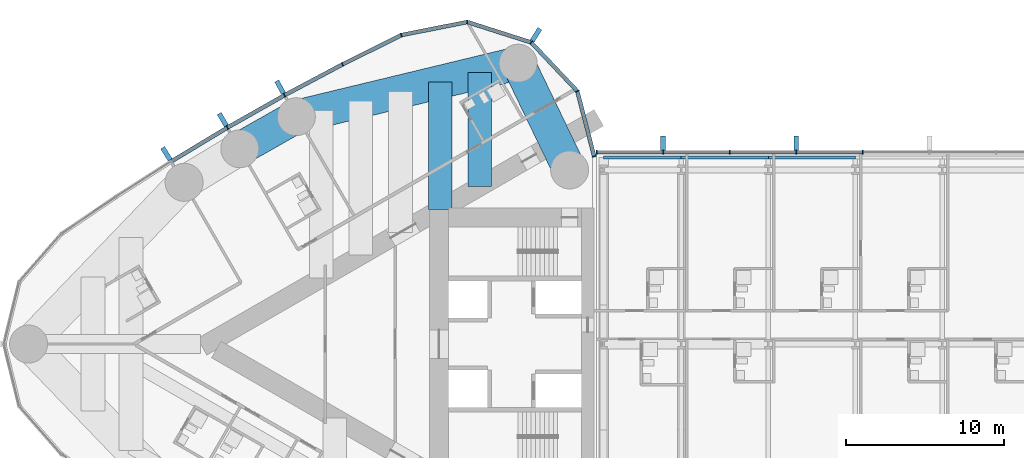
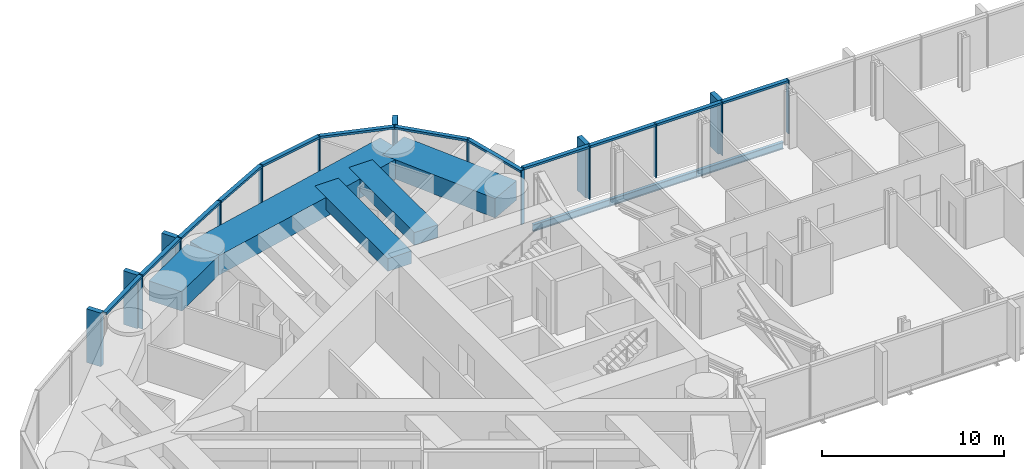
# One storey, part 5 of 22: 31 members, 8 beams, 2 elements without a shape of their own.
"""IFC4 building model written with IfcOpenShell, lengths in metres."""

import ifcopenshell
import ifcopenshell.guid

model = None  # the IFC model being written
_history = None  # IfcOwnerHistory: only IFC2X3 demands one
_inside = {}  # id of a spatial element -> (the spatial element, [elements in it])
_under = {}  # id of a project, library or spatial element -> (it, [spatial elements below it])
_declared = {}  # id of a project -> (the project, [libraries it declares])
_typed = {}  # id of a type object -> (the type object, [elements of that type])
_made_of = {}  # id of a material, layer set ... -> (it, [elements and type objects made of it])


def new_model(schema):
    """Start an empty IFC model of exactly this schema.

    Asked for "IFC4X3", IfcOpenShell would pick the latest addendum, in which some entities
    have other attributes; the version numbers below select the first issue.
    IFC2X3 requires an IfcOwnerHistory on every rooted entity: one is made here for all.
    """
    global model, _history
    if schema == "IFC4X3":
        model = ifcopenshell.file(schema_version=(4, 3, 0, 0))
    else:
        model = ifcopenshell.file(schema=schema)
    _inside.clear()
    _under.clear()
    _declared.clear()
    _typed.clear()
    _made_of.clear()
    _history = None
    if model.schema == "IFC2X3":
        org = make("IfcOrganization", Name="unknown")
        user = make(
            "IfcPersonAndOrganization",
            ThePerson=make("IfcPerson", FamilyName="unknown"),
            TheOrganization=org,
        )
        app = make(
            "IfcApplication",
            ApplicationDeveloper=org,
            Version="unknown",
            ApplicationFullName="unknown",
            ApplicationIdentifier="unknown",
        )
        _history = make(
            "IfcOwnerHistory",
            OwningUser=user,
            OwningApplication=app,
            ChangeAction="ADDED",
            CreationDate=0,
        )
    return model


def make(cls, **values):
    """One entity of the class cls with the attributes given. An attribute that is None is left unset."""
    return model.create_entity(
        cls, **{name: value for name, value in values.items() if value is not None}
    )


def rooted(cls, **values):
    """An entity with a GlobalId (a new one), such as an element, a storey or a relation."""
    return make(cls, GlobalId=ifcopenshell.guid.new(), OwnerHistory=_history, **values)


def si_unit(unit_type, name, prefix=None):
    """IfcSIUnit, for example si_unit("LENGTHUNIT", "METRE", prefix="MILLI")."""
    return make("IfcSIUnit", UnitType=unit_type, Prefix=prefix, Name=name)


def assignment(units):
    """IfcUnitAssignment: the units of a project."""
    return None if units is None else make("IfcUnitAssignment", Units=units)


def point(xyz):
    """IfcCartesianPoint."""
    return None if xyz is None else make("IfcCartesianPoint", Coordinates=xyz)


def direction(xyz):
    """IfcDirection."""
    return None if xyz is None else make("IfcDirection", DirectionRatios=xyz)


def frame(location, z_axis=None, x_axis=None):
    """IfcAxis2Placement3D, a coordinate frame: its origin and axes. An axis left out is left unset."""
    return make(
        "IfcAxis2Placement3D",
        Location=point(location),
        Axis=direction(z_axis),
        RefDirection=direction(x_axis),
    )


def frame_2d(location, x_axis=None):
    """IfcAxis2Placement2D, a coordinate frame in the plane: its origin and x axis."""
    return make(
        "IfcAxis2Placement2D", Location=point(location), RefDirection=direction(x_axis)
    )


def origin():
    """The frame at (0, 0, 0) with its axes left unset."""
    return frame((0.0, 0.0, 0.0))


def origin_2d():
    """The frame at (0, 0) in the plane with its x axis left unset."""
    return frame_2d((0.0, 0.0))


def place(relative_to, where):
    """IfcLocalPlacement: puts the frame where relative to a parent placement (None: the world)."""
    return make(
        "IfcLocalPlacement", PlacementRelTo=relative_to, RelativePlacement=where
    )


def context(
    kind, dimensions, precision=None, world=None, true_north=None, identifier=None
):
    """IfcGeometricRepresentationContext, for example the 3D "Model" context."""
    return make(
        "IfcGeometricRepresentationContext",
        ContextIdentifier=identifier,
        ContextType=kind,
        CoordinateSpaceDimension=dimensions,
        Precision=precision,
        WorldCoordinateSystem=world,
        TrueNorth=true_north,
    )


def subcontext(parent, identifier, kind, view, scale=None):
    """IfcGeometricRepresentationSubContext, for example "Body" below "Model"."""
    return make(
        "IfcGeometricRepresentationSubContext",
        ContextIdentifier=identifier,
        ContextType=kind,
        ParentContext=parent,
        TargetScale=scale,
        TargetView=view,
    )


def project(units=None, contexts=None):
    """IfcProject with its units and contexts."""
    return rooted(
        "IfcProject",
        Name="project",
        RepresentationContexts=contexts,
        UnitsInContext=assignment(units),
    )


def spatial(cls, under=None, at=None, **own):
    """A site, building, storey or space (cls), placed at a placement, below another one or the project."""
    s = rooted(cls, ObjectPlacement=at, **own)
    if under is not None:
        _under.setdefault(under.id(), (under, []))[1].append(s)
    return s


def profile(cls, at=None, kind="AREA", **sizes):
    """A parametric profile (cls). Its sizes go by their IFC names, for example OverallWidth=200.0."""
    return make(cls, ProfileType=kind, Position=at, **sizes)


def rectangle(**sizes):
    """IfcRectangleProfileDef."""
    return profile("IfcRectangleProfileDef", **sizes)


def i_section(**sizes):
    """IfcIShapeProfileDef."""
    return profile("IfcIShapeProfileDef", **sizes)


def extrude(swept, where, along, depth):
    """IfcExtrudedAreaSolid: the profile swept, set in the frame where, extruded along a direction by depth."""
    return make(
        "IfcExtrudedAreaSolid",
        SweptArea=swept,
        Position=where,
        ExtrudedDirection=direction(along),
        Depth=depth,
    )


def shape(context_of_items, identifier, shape_type, items):
    """IfcShapeRepresentation: the items that make up one representation, for example the "Body"."""
    return make(
        "IfcShapeRepresentation",
        ContextOfItems=context_of_items,
        RepresentationIdentifier=identifier,
        RepresentationType=shape_type,
        Items=items,
    )


def material(Name=None, Category=None):
    """IfcMaterial."""
    return make("IfcMaterial", Name=Name, Category=Category)


def material_profile(
    of_material, cross_section, Name=None, Category=None, Priority=None
):
    """IfcMaterialProfile: a cross section and its material."""
    return make(
        "IfcMaterialProfile",
        Name=Name,
        Material=of_material,
        Profile=cross_section,
        Priority=Priority,
        Category=Category,
    )


def profile_set(profiles, Name=None, composite=None):
    """IfcMaterialProfileSet."""
    return make(
        "IfcMaterialProfileSet",
        Name=Name,
        MaterialProfiles=profiles,
        CompositeProfile=composite,
    )


def made_of(thing, what):
    """Note that an element or type object is made of a material, layer set ...; save() writes the relation."""
    if what is not None:
        _made_of.setdefault(what.id(), (what, []))[1].append(thing)
    return thing


def type_object(cls, material=None, **own):
    """A type object (cls), such as IfcWallType, which elements share."""
    return made_of(rooted(cls, **own), material)


def element(
    cls,
    number,
    at=None,
    inside=None,
    cuts=None,
    type_object=None,
    material=None,
    context=None,
    identifier="Body",
    shape_type=None,
    held_by="IfcProductDefinitionShape",
    body=None,
    shapes=None,
    **own,
):
    """One element of the class cls, such as IfcWall. Its Tag is "e" and its number.

    at: its placement. inside: the storey or other place that contains it. cuts: it is an
    opening in that element (IfcRelVoidsElement). A single representation is given by context,
    identifier, shape_type and body (its items); several are given by shapes. held_by: the class
    of the entity that holds the representations. save() writes the other relations.
    """
    e = rooted(cls, Tag="e%d" % number, ObjectPlacement=at, **own)
    if body is not None:
        shapes = [shape(context, identifier, shape_type, body)]
    if shapes is not None:
        e.Representation = make(held_by, Representations=shapes)
    if inside is not None:
        _inside.setdefault(inside.id(), (inside, []))[1].append(e)
    if cuts is not None:
        rooted(
            "IfcRelVoidsElement", RelatingBuildingElement=cuts, RelatedOpeningElement=e
        )
    if type_object is not None:
        _typed.setdefault(type_object.id(), (type_object, []))[1].append(e)
    return made_of(e, material)


def aggregate(whole, parts):
    """IfcRelAggregates: a whole, such as a stair, and the parts it consists of."""
    return rooted("IfcRelAggregates", RelatingObject=whole, RelatedObjects=parts)


def save(model, path):
    """Write the relations noted so far, then the file.

    IfcRelAggregates (storeys below a building ...), IfcRelContainedInSpatialStructure (elements
    in a storey), IfcRelDefinesByType, IfcRelAssociatesMaterial and IfcRelDeclares: one each for
    every whole, place, type object, material and project.
    """
    for whole, parts in _under.values():
        aggregate(whole, parts)
    for where, things in _inside.values():
        rooted(
            "IfcRelContainedInSpatialStructure",
            RelatedElements=things,
            RelatingStructure=where,
        )
    for kind, things in _typed.values():
        rooted("IfcRelDefinesByType", RelatedObjects=things, RelatingType=kind)
    for what, things in _made_of.values():
        rooted("IfcRelAssociatesMaterial", RelatedObjects=things, RelatingMaterial=what)
    for by, libraries in _declared.values():
        rooted("IfcRelDeclares", RelatingContext=by, RelatedDefinitions=libraries)
    model.write(path)


model = new_model("IFC4")

# Units and contexts
model_context = context("Model", 3, precision=1e-05, world=origin(), true_north=direction((0.0, 1.0)))
body_context = subcontext(model_context, "Body", "Model", "MODEL_VIEW")
ifc_project = project(units=[si_unit("LENGTHUNIT", "METRE"), si_unit("AREAUNIT", "SQUARE_METRE"), si_unit("VOLUMEUNIT", "CUBIC_METRE"), si_unit("PLANEANGLEUNIT", "RADIAN"), si_unit("MASSUNIT", "GRAM", prefix="KILO")], contexts=[model_context])

# Site, building, storey
site_placement = place(None, origin())
site = spatial("IfcSite", under=ifc_project, at=site_placement, CompositionType="ELEMENT")
building_placement = place(site_placement, origin())
building = spatial("IfcBuilding", under=site, at=building_placement, Name="Lancet Gate Hotel", CompositionType="ELEMENT")
storey_placement = place(building_placement, frame((0.0, 0.0, 233.300048828125)))
storey = spatial("IfcBuildingStorey", under=building, at=storey_placement, Name="L62", CompositionType="ELEMENT", Elevation=233.300048828125)

# Curtain wall, members
ifc_material_1 = material(Name="Aluminium curtain wall", Category="aluminium")
curtain_wall_type_1 = type_object("IfcCurtainWallType", Name="Tower unitised curtain wall", PredefinedType="USERDEFINED", material=ifc_material_1)
curtain_wall_1_placement = place(storey_placement, origin())
curtain_wall_1 = element("IfcCurtainWall", 1, at=curtain_wall_1_placement, inside=storey, type_object=curtain_wall_type_1, Name="T1 L62 curtain wall 1", ObjectType="UNITISED CURTAIN WALL", PredefinedType="USERDEFINED")
ifc_material_2 = material(Name="Aluminium mullion", Category="aluminium")
ifc_material_profile_1 = material_profile(ifc_material_2, rectangle(XDim=0.06494140625, YDim=0.25, at=origin_2d()), Name="MULLION 65x250")
ifc_profile_set_1 = profile_set([ifc_material_profile_1], Name="Aluminium mullion")
member_type_1 = type_object("IfcMemberType", Name="Aluminium mullion 65x250", PredefinedType="MULLION", material=ifc_profile_set_1)
member_1_placement = place(storey_placement, frame((-27.5, 11.861572265625, 0.0), z_axis=(0.0, 0.0, 1.0), x_axis=(-0.249725827997, 0.968316586056, 0.0)))
member_1 = element("IfcMember", 2, at=member_1_placement, type_object=member_type_1, Name="T1 L62 curtain wall 1 mullion 1", PredefinedType="MULLION", context=body_context, shape_type="SweptSolid", body=[
    extrude(rectangle(XDim=0.06494140625, YDim=0.25, at=origin_2d()), origin(), (0.0, 0.0, 1.0), 3.599853515625),
])
member_2_placement = place(storey_placement, frame((-28.56005859375, 15.97216796875, 0.0), z_axis=(0.0, 0.0, 1.0), x_axis=(-0.483627322447, 0.875274021654, 0.0)))
member_2 = element("IfcMember", 3, at=member_2_placement, type_object=member_type_1, Name="T1 L62 curtain wall 1 mullion 2", PredefinedType="MULLION", context=body_context, shape_type="SweptSolid", body=[
    extrude(rectangle(XDim=0.06494140625, YDim=0.25, at=origin_2d()), origin(), (0.0, 0.0, 1.0), 3.599853515625),
])
member_3_placement = place(storey_placement, frame((-31.476318359375, 19.0576171875, 0.0), z_axis=(0.0, 0.0, 1.0), x_axis=(-0.846612863, 0.532209225966, 0.0)))
member_3 = element("IfcMember", 4, at=member_3_placement, type_object=member_type_1, Name="T1 L62 curtain wall 1 mullion 3", PredefinedType="MULLION", context=body_context, shape_type="SweptSolid", body=[
    extrude(rectangle(XDim=0.06494140625, YDim=0.25, at=origin_2d()), origin(), (0.0, 0.0, 1.0), 3.599853515625),
])
member_4_placement = place(storey_placement, frame((-35.520751953125, 20.347900390625, 0.0), z_axis=(0.0, 0.0, 1.0), x_axis=(-0.998409168318, 0.056383797491, 0.0)))
member_4 = element("IfcMember", 5, at=member_4_placement, type_object=member_type_1, Name="T1 L62 curtain wall 1 mullion 4", PredefinedType="MULLION", context=body_context, shape_type="SweptSolid", body=[
    extrude(rectangle(XDim=0.06494140625, YDim=0.25, at=origin_2d()), origin(), (0.0, 0.0, 1.0), 3.599853515625),
])
member_5_placement = place(storey_placement, frame((-39.684814453125, 19.521240234375, 0.0), z_axis=(0.0, 0.0, 1.0), x_axis=(-0.946887706423, -0.321564412561, 0.0)))
member_5 = element("IfcMember", 6, at=member_5_placement, type_object=member_type_1, Name="T1 L62 curtain wall 1 mullion 5", PredefinedType="MULLION", context=body_context, shape_type="SweptSolid", body=[
    extrude(rectangle(XDim=0.06494140625, YDim=0.25, at=origin_2d()), origin(), (0.0, 0.0, 1.0), 3.599853515625),
])
member_6_placement = place(storey_placement, frame((-43.3994140625, 17.67236328125, 0.0), z_axis=(0.0, 0.0, 1.0), x_axis=(-0.889155526065, -0.457605125046, 0.0)))
member_6 = element("IfcMember", 7, at=member_6_placement, type_object=member_type_1, Name="T1 L62 curtain wall 1 mullion 6", PredefinedType="MULLION", context=body_context, shape_type="SweptSolid", body=[
    extrude(rectangle(XDim=0.06494140625, YDim=0.25, at=origin_2d()), origin(), (0.0, 0.0, 1.0), 3.599853515625),
])
member_7_placement = place(storey_placement, frame((-47.062744140625, 15.72412109375, 0.0), z_axis=(0.0, 0.0, 1.0), x_axis=(-0.876516407283, -0.481371984815, 0.0)))
member_7 = element("IfcMember", 8, at=member_7_placement, type_object=member_type_1, Name="T1 L62 curtain wall 1 mullion 7", PredefinedType="MULLION", context=body_context, shape_type="SweptSolid", body=[
    extrude(rectangle(XDim=0.06494140625, YDim=0.25, at=origin_2d()), origin(), (0.0, 0.0, 1.0), 3.599853515625),
])
member_8_placement = place(storey_placement, frame((-50.67236328125, 13.677978515625, 0.0), z_axis=(0.0, 0.0, 1.0), x_axis=(-0.863242155108, -0.504790037189, 0.0)))
member_8 = element("IfcMember", 9, at=member_8_placement, type_object=member_type_1, Name="T1 L62 curtain wall 1 mullion 8", PredefinedType="MULLION", context=body_context, shape_type="SweptSolid", body=[
    extrude(rectangle(XDim=0.06494140625, YDim=0.25, at=origin_2d()), origin(), (0.0, 0.0, 1.0), 3.599853515625),
])

ifc_material_3 = material(Name="Aluminium curtain wall", Category="aluminium")
curtain_wall_type_2 = type_object("IfcCurtainWallType", Name="Bridge block curtain wall", PredefinedType="USERDEFINED", material=ifc_material_3)
curtain_wall_2_placement = place(storey_placement, origin())
curtain_wall_2 = element("IfcCurtainWall", 10, at=curtain_wall_2_placement, inside=storey, type_object=curtain_wall_type_2, Name="Bridge block L62 curtain wall N", ObjectType="UNITISED CURTAIN WALL", PredefinedType="USERDEFINED")
member_9_placement = place(storey_placement, frame((-10.519287109375, 12.1201171875, 0.0), z_axis=(0.0, 0.0, 1.0), x_axis=(-1.0, 0.0, 0.0)))
member_9 = element("IfcMember", 11, at=member_9_placement, type_object=member_type_1, Name="Bridge block L62 curtain wall N mullion 10", PredefinedType="MULLION", context=body_context, shape_type="SweptSolid", body=[
    extrude(rectangle(XDim=0.06494140625, YDim=0.25, at=origin_2d()), origin(), (0.0, 0.0, 1.0), 3.599853515625),
])
member_10_placement = place(storey_placement, frame((-14.726806640625, 12.1201171875, 0.0), z_axis=(0.0, 0.0, 1.0), x_axis=(-1.0, 0.0, 0.0)))
member_10 = element("IfcMember", 12, at=member_10_placement, type_object=member_type_1, Name="Bridge block L62 curtain wall N mullion 11", PredefinedType="MULLION", context=body_context, shape_type="SweptSolid", body=[
    extrude(rectangle(XDim=0.06494140625, YDim=0.25, at=origin_2d()), origin(), (0.0, 0.0, 1.0), 3.599853515625),
])
member_11_placement = place(storey_placement, frame((-18.9345703125, 12.1201171875, 0.0), z_axis=(0.0, 0.0, 1.0), x_axis=(-1.0, 0.0, 0.0)))
member_11 = element("IfcMember", 13, at=member_11_placement, type_object=member_type_1, Name="Bridge block L62 curtain wall N mullion 12", PredefinedType="MULLION", context=body_context, shape_type="SweptSolid", body=[
    extrude(rectangle(XDim=0.06494140625, YDim=0.25, at=origin_2d()), origin(), (0.0, 0.0, 1.0), 3.599853515625),
])
member_12_placement = place(storey_placement, frame((-23.142333984375, 12.1201171875, 0.0), z_axis=(0.0, 0.0, 1.0), x_axis=(-1.0, 0.0, 0.0)))
member_12 = element("IfcMember", 14, at=member_12_placement, type_object=member_type_1, Name="Bridge block L62 curtain wall N mullion 13", PredefinedType="MULLION", context=body_context, shape_type="SweptSolid", body=[
    extrude(rectangle(XDim=0.06494140625, YDim=0.25, at=origin_2d()), origin(), (0.0, 0.0, 1.0), 3.599853515625),
])
member_13_placement = place(storey_placement, frame((-27.35009765625, 12.1201171875, 0.0), z_axis=(0.0, 0.0, 1.0), x_axis=(-1.0, 0.0, 0.0)))
member_13 = element("IfcMember", 15, at=member_13_placement, type_object=member_type_1, Name="Bridge block L62 curtain wall N mullion 14", PredefinedType="MULLION", context=body_context, shape_type="SweptSolid", body=[
    extrude(rectangle(XDim=0.06494140625, YDim=0.25, at=origin_2d()), origin(), (0.0, 0.0, 1.0), 3.599853515625),
])

# Member
ifc_material_4 = material(Name="Aluminium transom", Category="aluminium")
ifc_material_profile_2 = material_profile(ifc_material_4, rectangle(XDim=0.25, YDim=0.14990234375, at=origin_2d()), Name="TRANSOM 250x150")
ifc_profile_set_2 = profile_set([ifc_material_profile_2], Name="Aluminium transom")
member_type_2 = type_object("IfcMemberType", Name="Aluminium transom 250x150", PredefinedType="USERDEFINED", material=ifc_profile_set_2)
member_14_placement = place(storey_placement, frame((-27.508056640625, 11.892822265625, 3.52490234375), z_axis=(-0.249715522936, 0.968319243641, 0.0), x_axis=(-0.968319243641, -0.249715522936, 0.0)))
member_14 = element("IfcMember", 16, at=member_14_placement, type_object=member_type_2, Name="T1 L62 curtain wall 1 transom 1", ObjectType="TRANSOM", PredefinedType="USERDEFINED", context=body_context, shape_type="SweptSolid", body=[
    extrude(rectangle(XDim=0.25, YDim=0.14990234375, at=origin_2d()), origin(), (0.0, 0.0, 1.0), 4.180419921875),
])

member_15_placement = place(storey_placement, frame((-28.58251953125, 15.995849609375, 3.52490234375), z_axis=(-0.686880731091, 0.726770157103, 0.0), x_axis=(-0.726770157103, -0.686880731091, 0.0)))
member_15 = element("IfcMember", 17, at=member_15_placement, type_object=member_type_2, Name="T1 L62 curtain wall 1 transom 2", ObjectType="TRANSOM", PredefinedType="USERDEFINED", context=body_context, shape_type="SweptSolid", body=[
    extrude(rectangle(XDim=0.25, YDim=0.14990234375, at=origin_2d()), origin(), (0.0, 0.0, 1.0), 4.18017578125),
])

member_16_placement = place(storey_placement, frame((-31.507080078125, 19.067626953125, 3.52490234375), z_axis=(-0.952697713775, 0.303919506068, 0.0), x_axis=(-0.303919506068, -0.952697713775, 0.0)))
member_16 = element("IfcMember", 18, at=member_16_placement, type_object=member_type_2, Name="T1 L62 curtain wall 1 transom 3", ObjectType="TRANSOM", PredefinedType="USERDEFINED", context=body_context, shape_type="SweptSolid", body=[
    extrude(rectangle(XDim=0.25, YDim=0.14990234375, at=origin_2d()), origin(), (0.0, 0.0, 1.0), 4.180419921875),
])

member_17_placement = place(storey_placement, frame((-35.552734375, 20.341552734375, 3.52490234375), z_axis=(-0.980858234867, -0.194723196085, 0.0), x_axis=(0.194723196085, -0.980858234867, 0.0)))
member_17 = element("IfcMember", 19, at=member_17_placement, type_object=member_type_2, Name="T1 L62 curtain wall 1 transom 4", ObjectType="TRANSOM", PredefinedType="USERDEFINED", context=body_context, shape_type="SweptSolid", body=[
    extrude(rectangle(XDim=0.25, YDim=0.14990234375, at=origin_2d()), origin(), (0.0, 0.0, 1.0), 4.18017578125),
])

member_18_placement = place(storey_placement, frame((-39.7138671875, 19.5068359375, 3.52490234375), z_axis=(-0.895226720479, -0.445610950202, 0.0), x_axis=(0.445610950202, -0.895226720479, 0.0)))
member_18 = element("IfcMember", 20, at=member_18_placement, type_object=member_type_2, Name="T1 L62 curtain wall 1 transom 5", ObjectType="TRANSOM", PredefinedType="USERDEFINED", context=body_context, shape_type="SweptSolid", body=[
    extrude(rectangle(XDim=0.25, YDim=0.14990234375, at=origin_2d()), origin(), (0.0, 0.0, 1.0), 4.08447265625),
])

member_19_placement = place(storey_placement, frame((-43.427978515625, 17.656982421875, 3.52490234375), z_axis=(-0.882944619844, -0.469477154171, 0.0), x_axis=(0.469477154171, -0.882944619844, 0.0)))
member_19 = element("IfcMember", 21, at=member_19_placement, type_object=member_type_2, Name="T1 L62 curtain wall 1 transom 6", ObjectType="TRANSOM", PredefinedType="USERDEFINED", context=body_context, shape_type="SweptSolid", body=[
    extrude(rectangle(XDim=0.25, YDim=0.14990234375, at=origin_2d()), origin(), (0.0, 0.0, 1.0), 4.084228515625),
])

member_20_placement = place(storey_placement, frame((-47.091064453125, 15.7080078125, 3.52490234375), z_axis=(-0.869977740049, -0.493090997503, 0.0), x_axis=(0.493090997503, -0.869977740049, 0.0)))
member_20 = element("IfcMember", 22, at=member_20_placement, type_object=member_type_2, Name="T1 L62 curtain wall 1 transom 7", ObjectType="TRANSOM", PredefinedType="USERDEFINED", context=body_context, shape_type="SweptSolid", body=[
    extrude(rectangle(XDim=0.25, YDim=0.14990234375, at=origin_2d()), origin(), (0.0, 0.0, 1.0), 4.084228515625),
])

member_21_placement = place(storey_placement, frame((-50.7001953125, 13.661376953125, 3.52490234375), z_axis=(-0.856362214892, -0.516375596737, 0.0), x_axis=(0.516375596737, -0.856362214892, 0.0)))
member_21 = element("IfcMember", 23, at=member_21_placement, type_object=member_type_2, Name="T1 L62 curtain wall 1 transom 8", ObjectType="TRANSOM", PredefinedType="USERDEFINED", context=body_context, shape_type="SweptSolid", body=[
    extrude(rectangle(XDim=0.25, YDim=0.14990234375, at=origin_2d()), origin(), (0.0, 0.0, 1.0), 4.08447265625),
])

member_22_placement = place(storey_placement, frame((-10.5517578125, 12.1201171875, 3.52490234375), z_axis=(-1.0, 0.0, 0.0), x_axis=(0.0, -1.0, 0.0)))
member_22 = element("IfcMember", 24, at=member_22_placement, type_object=member_type_2, Name="Bridge block L62 curtain wall N transom 10", ObjectType="TRANSOM", PredefinedType="USERDEFINED", context=body_context, shape_type="SweptSolid", body=[
    extrude(rectangle(XDim=0.25, YDim=0.14990234375, at=origin_2d()), origin(), (0.0, 0.0, 1.0), 4.142578125),
])

member_23_placement = place(storey_placement, frame((-14.759521484375, 12.1201171875, 3.52490234375), z_axis=(-1.0, 0.0, 0.0), x_axis=(0.0, -1.0, 0.0)))
member_23 = element("IfcMember", 25, at=member_23_placement, type_object=member_type_2, Name="Bridge block L62 curtain wall N transom 11", ObjectType="TRANSOM", PredefinedType="USERDEFINED", context=body_context, shape_type="SweptSolid", body=[
    extrude(rectangle(XDim=0.25, YDim=0.14990234375, at=origin_2d()), origin(), (0.0, 0.0, 1.0), 4.142578125),
])

member_24_placement = place(storey_placement, frame((-18.967041015625, 12.1201171875, 3.52490234375), z_axis=(-1.0, 0.0, 0.0), x_axis=(0.0, -1.0, 0.0)))
member_24 = element("IfcMember", 26, at=member_24_placement, type_object=member_type_2, Name="Bridge block L62 curtain wall N transom 12", ObjectType="TRANSOM", PredefinedType="USERDEFINED", context=body_context, shape_type="SweptSolid", body=[
    extrude(rectangle(XDim=0.25, YDim=0.14990234375, at=origin_2d()), origin(), (0.0, 0.0, 1.0), 4.142822265625),
])

member_25_placement = place(storey_placement, frame((-23.1748046875, 12.1201171875, 3.52490234375), z_axis=(-1.0, 0.0, 0.0), x_axis=(0.0, -1.0, 0.0)))
member_25 = element("IfcMember", 27, at=member_25_placement, type_object=member_type_2, Name="Bridge block L62 curtain wall N transom 13", ObjectType="TRANSOM", PredefinedType="USERDEFINED", context=body_context, shape_type="SweptSolid", body=[
    extrude(rectangle(XDim=0.25, YDim=0.14990234375, at=origin_2d()), origin(), (0.0, 0.0, 1.0), 4.142578125),
])

# Beams
ifc_material_5 = material(Name="Steel S355", Category="steel")
ifc_material_profile_3 = material_profile(ifc_material_5, i_section(OverallWidth=0.19140625, OverallDepth=0.4599609375, WebThickness=0.010009765625, FlangeThickness=0.01611328125, FilletRadius=0.01025390625, at=origin_2d()), Name="UKB 457x191x82")
ifc_profile_set_3 = profile_set([ifc_material_profile_3], Name="Steel S355")
beam_type_1 = type_object("IfcBeamType", Name="Block edge beam UKB 457x191x82", PredefinedType="SPANDREL", material=ifc_profile_set_3)
beam_1_placement = place(storey_placement, frame((-26.89990234375, 11.800048828125, -0.429931640625), z_axis=(1.0, 0.0, 0.0), x_axis=(0.0, 1.0, 0.0)))
element("IfcBeam", 28, at=beam_1_placement, inside=storey, type_object=beam_type_1, Name="Block edge beam N 0-1 L62", PredefinedType="SPANDREL", context=body_context, shape_type="SweptSolid", body=[
    extrude(i_section(OverallWidth=0.19140625, OverallDepth=0.4599609375, WebThickness=0.010009765625, FlangeThickness=0.01611328125, FilletRadius=0.01025390625, at=origin_2d()), origin(), (0.0, 0.0, 1.0), 4.89990234375),
])
for number, where, z_axis, x_axis, name in (
    (29, (-22.0, 11.800048828125, -0.429931640625), (1.0, 0.0, 0.0), (0.0, 1.0, 0.0), "Block edge beam N 1-2 L62"),
    (30, (-16.5, 11.800048828125, -0.429931640625), (1.0, 0.0, 0.0), (0.0, 1.0, 0.0), "Block edge beam N 2-3 L62"),
):
    element("IfcBeam", number, at=place(storey_placement, frame(where, z_axis=z_axis, x_axis=x_axis)), inside=storey, type_object=beam_type_1, Name=name, PredefinedType="SPANDREL", context=body_context, shape_type="SweptSolid", body=[
        extrude(i_section(OverallWidth=0.19140625, OverallDepth=0.4599609375, WebThickness=0.010009765625, FlangeThickness=0.01611328125, FilletRadius=0.01025390625, at=origin_2d()), origin(), (0.0, 0.0, 1.0), 5.5),
    ])
ifc_material_6 = material(Name="Concrete C50/60", Category="concrete")
ifc_material_profile_4 = material_profile(ifc_material_6, rectangle(XDim=2.10009765625, YDim=1.300048828125, at=origin_2d()), Name="RC 2100x1300")
ifc_profile_set_4 = profile_set([ifc_material_profile_4], Name="Concrete C50/60")
beam_type_2 = type_object("IfcBeamType", Name="Edge beam RC 2100x1300", PredefinedType="SPANDREL", material=ifc_profile_set_4)
beam_2_placement = place(storey_placement, frame((-32.301025390625, 17.745361328125, 2.699951171875), z_axis=(-0.972132796948, -0.234430853556, 0.0), x_axis=(0.234430853556, -0.972132796948, 0.0)))
element("IfcBeam", 31, at=beam_2_placement, inside=storey, type_object=beam_type_2, Name="T1 edge beam EB1 L62", PredefinedType="SPANDREL", context=body_context, shape_type="SweptSolid", body=[
    extrude(rectangle(XDim=2.10009765625, YDim=1.300048828125, at=origin_2d()), origin(), (0.0, 0.0, 1.0), 14.41748046875),
])
beam_3_placement = place(storey_placement, frame((-46.316650390625, 14.365478515625, 2.699951171875), z_axis=(-0.869978841992, -0.493089053301, 0.0), x_axis=(0.493089053301, -0.869978841992, 0.0)))
element("IfcBeam", 32, at=beam_3_placement, inside=storey, type_object=beam_type_2, Name="T1 edge beam EB1 L62", PredefinedType="SPANDREL", context=body_context, shape_type="SweptSolid", body=[
    extrude(rectangle(XDim=2.10009765625, YDim=1.300048828125, at=origin_2d()), origin(), (0.0, 0.0, 1.0), 4.107666015625),
])
beam_4_placement = place(storey_placement, frame((-32.301025390625, 17.745361328125, 2.699951171875), z_axis=(0.434163599361, -0.900834040759, 0.0), x_axis=(0.900834040759, 0.434163599361, 0.0)))
element("IfcBeam", 33, at=beam_4_placement, inside=storey, type_object=beam_type_2, Name="T1 edge beam EB1 L62", PredefinedType="SPANDREL", context=body_context, shape_type="SweptSolid", body=[
    extrude(rectangle(XDim=2.10009765625, YDim=1.300048828125, at=origin_2d()), origin(), (0.0, 0.0, 1.0), 7.48779296875),
])

# Member
ifc_material_7 = material(Name="Precast concrete C50/60", Category="concrete")
ifc_material_profile_5 = material_profile(ifc_material_7, rectangle(XDim=0.300048828125, YDim=0.89990234375, at=origin_2d()), Name="FIN 300x900")
ifc_profile_set_5 = profile_set([ifc_material_profile_5], Name="Precast concrete C50/60")
member_type_3 = type_object("IfcMemberType", Name="Exposed concrete fin 300x900", PredefinedType="USERDEFINED", material=ifc_profile_set_5)
member_26_placement = place(storey_placement, frame((-31.170166015625, 19.54443359375, 0.0), z_axis=(0.0, 0.0, 1.0), x_axis=(-0.846612863, 0.532209225966, 0.0)))
member_26 = element("IfcMember", 34, at=member_26_placement, type_object=member_type_3, Name="T1 L62 curtain wall 1 fin 3", ObjectType="FIN", PredefinedType="USERDEFINED", context=body_context, shape_type="SweptSolid", body=[
    extrude(rectangle(XDim=0.300048828125, YDim=0.89990234375, at=origin_2d()), origin(), (0.0, 0.0, 1.0), 3.599853515625),
])

member_27_placement = place(storey_placement, frame((-47.339599609375, 16.22802734375, 0.0), z_axis=(0.0, 0.0, 1.0), x_axis=(-0.876516407283, -0.481371984815, 0.0)))
member_27 = element("IfcMember", 35, at=member_27_placement, type_object=member_type_3, Name="T1 L62 curtain wall 1 fin 7", ObjectType="FIN", PredefinedType="USERDEFINED", context=body_context, shape_type="SweptSolid", body=[
    extrude(rectangle(XDim=0.300048828125, YDim=0.89990234375, at=origin_2d()), origin(), (0.0, 0.0, 1.0), 3.599853515625),
])

member_28_placement = place(storey_placement, frame((-50.962646484375, 14.17431640625, 0.0), z_axis=(0.0, 0.0, 1.0), x_axis=(-0.863242155108, -0.504790037189, 0.0)))
member_28 = element("IfcMember", 36, at=member_28_placement, type_object=member_type_3, Name="T1 L62 curtain wall 1 fin 8", ObjectType="FIN", PredefinedType="USERDEFINED", context=body_context, shape_type="SweptSolid", body=[
    extrude(rectangle(XDim=0.300048828125, YDim=0.89990234375, at=origin_2d()), origin(), (0.0, 0.0, 1.0), 3.599853515625),
])

member_29_placement = place(storey_placement, frame((-54.529296875, 12.02392578125, 0.0), z_axis=(0.0, 0.0, 1.0), x_axis=(-0.849342388216, -0.527842313176, 0.0)))
member_29 = element("IfcMember", 37, at=member_29_placement, type_object=member_type_3, Name="T1 L62 curtain wall 1 fin 9", ObjectType="FIN", PredefinedType="USERDEFINED", context=body_context, shape_type="SweptSolid", body=[
    extrude(rectangle(XDim=0.300048828125, YDim=0.89990234375, at=origin_2d()), origin(), (0.0, 0.0, 1.0), 3.599853515625),
])

aggregate(curtain_wall_1, [member_1, member_2, member_3, member_26, member_4, member_5, member_6, member_7, member_27, member_8, member_28, member_29, member_14, member_15, member_16, member_17, member_18, member_19, member_20, member_21])

member_30_placement = place(storey_placement, frame((-14.726806640625, 12.695068359375, 0.0), z_axis=(0.0, 0.0, 1.0), x_axis=(-1.0, 0.0, 0.0)))
member_30 = element("IfcMember", 38, at=member_30_placement, type_object=member_type_3, Name="Bridge block L62 curtain wall N fin 11", ObjectType="FIN", PredefinedType="USERDEFINED", context=body_context, shape_type="SweptSolid", body=[
    extrude(rectangle(XDim=0.300048828125, YDim=0.89990234375, at=origin_2d()), origin(), (0.0, 0.0, 1.0), 3.599853515625),
])

member_31_placement = place(storey_placement, frame((-23.142333984375, 12.695068359375, 0.0), z_axis=(0.0, 0.0, 1.0), x_axis=(-1.0, 0.0, 0.0)))
member_31 = element("IfcMember", 39, at=member_31_placement, type_object=member_type_3, Name="Bridge block L62 curtain wall N fin 13", ObjectType="FIN", PredefinedType="USERDEFINED", context=body_context, shape_type="SweptSolid", body=[
    extrude(rectangle(XDim=0.300048828125, YDim=0.89990234375, at=origin_2d()), origin(), (0.0, 0.0, 1.0), 3.599853515625),
])

aggregate(curtain_wall_2, [member_9, member_10, member_30, member_11, member_12, member_31, member_13, member_22, member_23, member_24, member_25])

# Beams
ifc_material_8 = material(Name="Concrete C50/60", Category="concrete")
ifc_material_profile_6 = material_profile(ifc_material_8, rectangle(XDim=1.5, YDim=0.85009765625, at=origin_2d()), Name="RC 1500x850")
ifc_profile_set_6 = profile_set([ifc_material_profile_6], Name="Concrete C50/60")
beam_type_3 = type_object("IfcBeamType", Name="Floor beam RC 1500x850", PredefinedType="BEAM", material=ifc_profile_set_6)
beam_5_placement = place(storey_placement, frame((-34.720458984375, 17.161865234375, 2.925048828125), z_axis=(0.0, -1.0, 0.0), x_axis=(1.0, 0.0, 0.0)))
element("IfcBeam", 40, at=beam_5_placement, inside=storey, type_object=beam_type_3, Name="T1 floor beam F02S L62", PredefinedType="BEAM", context=body_context, shape_type="SweptSolid", body=[
    extrude(rectangle(XDim=1.5, YDim=0.85009765625, at=origin_2d()), origin(), (0.0, 0.0, 1.0), 7.203857421875),
])
beam_6_placement = place(storey_placement, frame((-37.227294921875, 16.557373046875, 2.925048828125), z_axis=(0.0, -1.0, 0.0), x_axis=(1.0, 0.0, 0.0)))
element("IfcBeam", 41, at=beam_6_placement, inside=storey, type_object=beam_type_3, Name="T1 floor beam F03S L62", PredefinedType="BEAM", context=body_context, shape_type="SweptSolid", body=[
    extrude(rectangle(XDim=1.5, YDim=0.85009765625, at=origin_2d()), origin(), (0.0, 0.0, 1.0), 8.046630859375),
])

save(model, "model.ifc")
